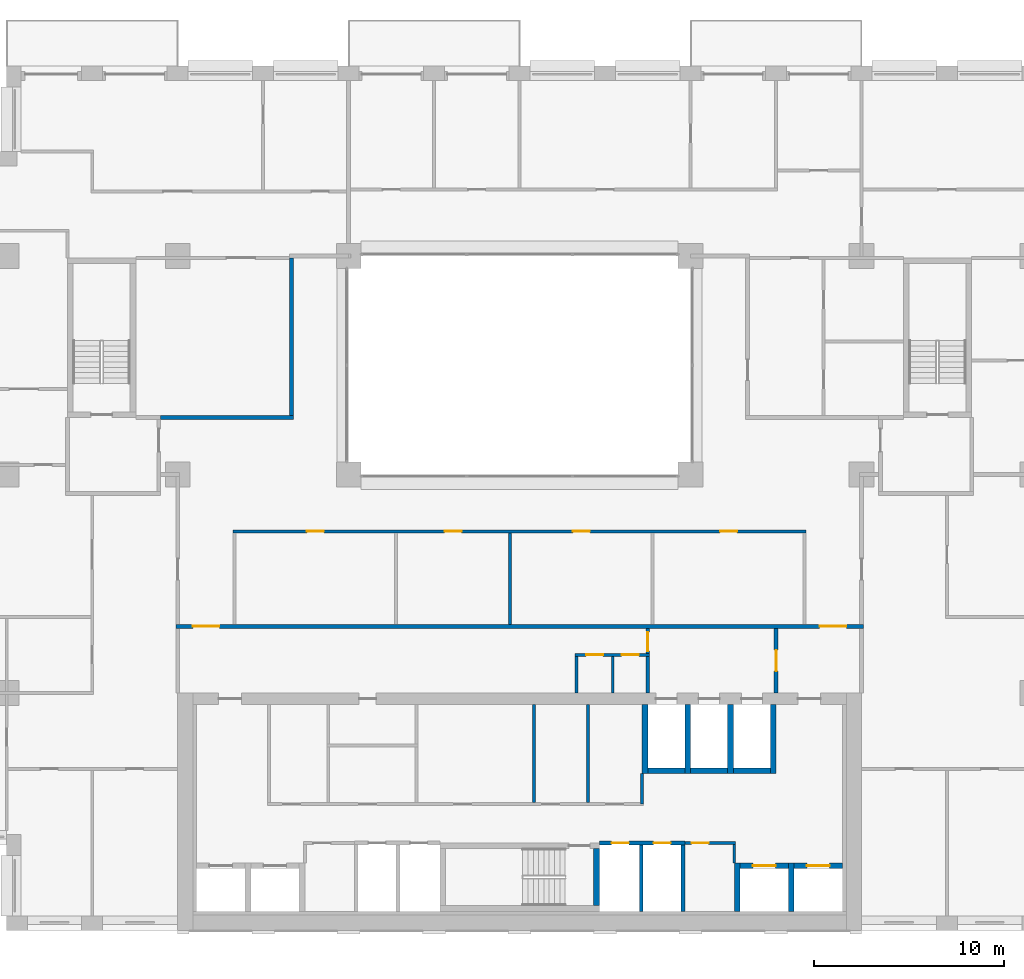
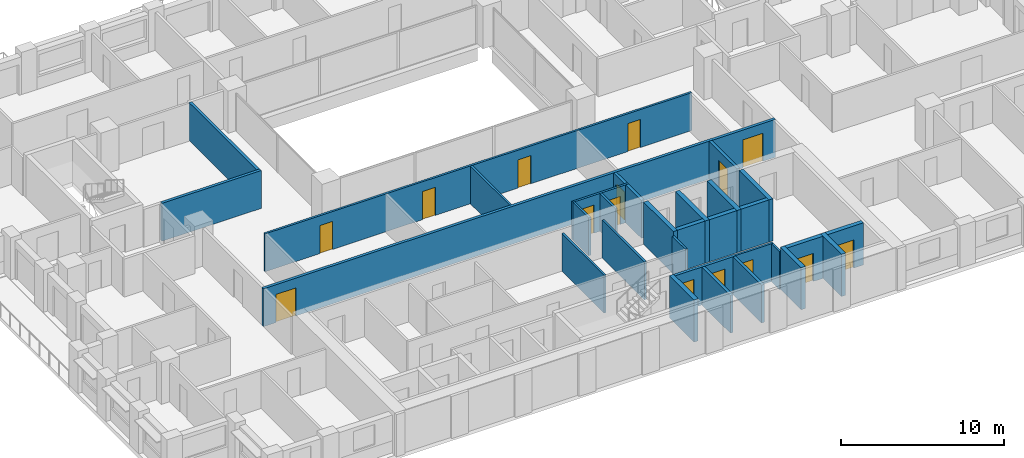
# One storey, part 10 of 16: 31 walls, 15 doors, 15 openings.
"""IFC4 building model written with IfcOpenShell, lengths in metres."""

from ifc_helpers import new_model, si_unit, direction, frame, frame_2d, origin, place, context, subcontext, project, spatial, rectangle, extrude, material, layer, layer_set, type_object, element, fill, save


model = new_model("IFC4")

# Units and contexts
model_context = context("Model", 3, precision=1e-05, world=origin(), true_north=direction((0.0, 1.0)))
body_context = subcontext(model_context, "Body", "Model", "MODEL_VIEW")
ifc_project = project(units=[si_unit("LENGTHUNIT", "METRE"), si_unit("AREAUNIT", "SQUARE_METRE"), si_unit("VOLUMEUNIT", "CUBIC_METRE"), si_unit("PLANEANGLEUNIT", "RADIAN"), si_unit("MASSUNIT", "GRAM", prefix="KILO")], contexts=[model_context])

# Site, building, storey
site_placement = place(None, origin())
site = spatial("IfcSite", under=ifc_project, at=site_placement, CompositionType="ELEMENT")
building_placement = place(site_placement, origin())
building = spatial("IfcBuilding", under=site, at=building_placement, Name="Brigalow Station Residences", CompositionType="ELEMENT")
storey_placement = place(building_placement, frame((0.0, 0.0, 115.050048828125)))
storey = spatial("IfcBuildingStorey", under=building, at=storey_placement, Name="L33", CompositionType="ELEMENT", Elevation=115.050048828125)

# Walls
ifc_material_1 = material(Name="Concrete C65", Category="concrete")
ifc_layer_1 = layer(ifc_material_1, 0.300048828125)
ifc_layer_set_1 = layer_set([ifc_layer_1], Name="CORE SHEAR WALL 300 C65")
wall_type_1 = type_object("IfcWallType", Name="CORE SHEAR WALL 300 C65", PredefinedType="SHEAR", material=ifc_layer_set_1)
wall_1_placement = place(storey_placement, frame((42.75, 8.39990234375, 0.0), z_axis=(0.0, 0.0, 1.0), x_axis=(1.0, 0.0, 0.0)))
element("IfcWall", 1, at=wall_1_placement, inside=storey, type_object=wall_type_1, Name="CORE WALL SH-FF1-S L33", PredefinedType="SHEAR", context=body_context, shape_type="SweptSolid", body=[
    extrude(rectangle(XDim=1.949951171875, YDim=0.300048828125, at=frame_2d((0.97509765625, 0.0))), origin(), (0.0, 0.0, 1.0), 3.14990234375),
])
wall_2_placement = place(storey_placement, frame((42.60009765625, 8.25, 0.0), z_axis=(0.0, 0.0, 1.0), x_axis=(0.0, 1.0, 0.0)))
element("IfcWall", 2, at=wall_2_placement, inside=storey, type_object=wall_type_1, Name="CORE WALL SH-FF1-W L33", PredefinedType="SHEAR", context=body_context, shape_type="SweptSolid", body=[
    extrude(rectangle(XDim=3.64990234375, YDim=0.300048828125, at=frame_2d((1.824951171875, 0.0))), origin(), (0.0, 0.0, 1.0), 3.14990234375),
])
wall_3_placement = place(storey_placement, frame((45.0, 8.39990234375, 0.0), z_axis=(0.0, 0.0, 1.0), x_axis=(1.0, 0.0, 0.0)))
element("IfcWall", 3, at=wall_3_placement, inside=storey, type_object=wall_type_1, Name="CORE WALL SH-FF2-S L33", PredefinedType="SHEAR", context=body_context, shape_type="SweptSolid", body=[
    extrude(rectangle(XDim=1.949951171875, YDim=0.300048828125, at=frame_2d((0.97509765625, 0.0))), origin(), (0.0, 0.0, 1.0), 3.14990234375),
])
wall_4_placement = place(storey_placement, frame((44.85009765625, 8.25, 0.0), z_axis=(0.0, 0.0, 1.0), x_axis=(0.0, 1.0, 0.0)))
element("IfcWall", 4, at=wall_4_placement, inside=storey, type_object=wall_type_1, Name="CORE WALL SH-FF2-W L33", PredefinedType="SHEAR", context=body_context, shape_type="SweptSolid", body=[
    extrude(rectangle(XDim=3.64990234375, YDim=0.300048828125, at=frame_2d((1.824951171875, 0.0))), origin(), (0.0, 0.0, 1.0), 3.14990234375),
])
wall_5_placement = place(storey_placement, frame((47.25, 8.39990234375, 0.0), z_axis=(0.0, 0.0, 1.0), x_axis=(1.0, 0.0, 0.0)))
element("IfcWall", 5, at=wall_5_placement, inside=storey, type_object=wall_type_1, Name="CORE WALL SH-SL1-S L33", PredefinedType="SHEAR", context=body_context, shape_type="SweptSolid", body=[
    extrude(rectangle(XDim=1.949951171875, YDim=0.300048828125, at=frame_2d((0.97509765625, 0.0))), origin(), (0.0, 0.0, 1.0), 3.14990234375),
])
for number, where, z_axis, x_axis, name in (
    (6, (47.10009765625, 8.25, 0.0), (0.0, 0.0, 1.0), (0.0, 1.0, 0.0), "CORE WALL SH-SL1-W L33"),
    (7, (49.35009765625, 8.25, 0.0), (0.0, 0.0, 1.0), (0.0, 1.0, 0.0), "CORE WALL SH-SL1-E L33"),
):
    element("IfcWall", number, at=place(storey_placement, frame(where, z_axis=z_axis, x_axis=x_axis)), inside=storey, type_object=wall_type_1, Name=name, PredefinedType="SHEAR", context=body_context, shape_type="SweptSolid", body=[
        extrude(rectangle(XDim=3.64990234375, YDim=0.300048828125, at=frame_2d((1.824951171875, 0.0))), origin(), (0.0, 0.0, 1.0), 3.14990234375),
    ])

# Wall, opening, door
wall_6_placement = place(storey_placement, frame((47.60009765625, 3.39990234375, 0.0), z_axis=(0.0, 0.0, 1.0), x_axis=(1.0, 0.0, 0.0)))
wall_6 = element("IfcWall", 8, at=wall_6_placement, inside=storey, type_object=wall_type_1, Name="CORE WALL SH-C3-N L33", PredefinedType="SHEAR", context=body_context, shape_type="SweptSolid", body=[
    extrude(rectangle(XDim=2.5498046875, YDim=0.300048828125, at=frame_2d((1.27490234375, 0.0))), origin(), (0.0, 0.0, 1.0), 3.14990234375),
])
opening_1_placement = place(wall_6_placement, frame((0.675048828125, 0.0, 0.0)))
opening_1 = element("IfcOpeningElement", 9, at=opening_1_placement, cuts=wall_6, Name="Opening LD-LB3", PredefinedType="OPENING", context=body_context, shape_type="SweptSolid", body=[
    extrude(rectangle(XDim=1.199951171875, YDim=2.10009765625, at=frame_2d((0.60009765625, 1.050048828125))), frame((0.0, 0.16015625, 0.0), z_axis=(0.0, -1.0, 0.0), x_axis=(1.0, 0.0, 0.0)), (0.0, 0.0, 1.0), 0.320068359375),
])
ifc_material_2 = material(Name="Stainless steel sliding door leaves", Category="steel")
door_type_1 = type_object("IfcDoorType", Name="LIFT LANDING DOOR 1200 x 2100", OperationType="DOUBLE_DOOR_SLIDING", PredefinedType="DOOR", material=ifc_material_2)
door_1_placement = place(opening_1_placement, origin())
door_1 = element("IfcDoor", 10, at=door_1_placement, inside=storey, type_object=door_type_1, Name="LANDING DOOR LB3", OperationType="DOUBLE_DOOR_SLIDING", OverallHeight=2.10009765625, OverallWidth=1.199951171875, PredefinedType="DOOR", context=body_context, shape_type="SweptSolid", body=[
    extrude(rectangle(XDim=1.199951171875, YDim=2.10009765625, at=frame_2d((0.60009765625, 1.050048828125))), frame((0.0, 0.02490234375, 0.0), z_axis=(0.0, -1.0, 0.0), x_axis=(1.0, 0.0, 0.0)), (0.0, 0.0, 1.0), 0.050048828125),
])
fill(opening_1, door_1)

# Wall
wall_7_placement = place(storey_placement, frame((47.449951171875, 1.0, 0.0), z_axis=(0.0, 0.0, 1.0), x_axis=(0.0, 1.0, 0.0)))
element("IfcWall", 11, at=wall_7_placement, inside=storey, type_object=wall_type_1, Name="CORE WALL SH-C3-W L33", PredefinedType="SHEAR", context=body_context, shape_type="SweptSolid", body=[
    extrude(rectangle(XDim=2.550048828125, YDim=0.300048828125, at=frame_2d((1.27490234375, 0.0))), origin(), (0.0, 0.0, 1.0), 3.14990234375),
])

# Wall, opening, door
wall_8_placement = place(storey_placement, frame((50.449951171875, 3.39990234375, 0.0), z_axis=(0.0, 0.0, 1.0), x_axis=(1.0, 0.0, 0.0)))
wall_8 = element("IfcWall", 12, at=wall_8_placement, inside=storey, type_object=wall_type_1, Name="CORE WALL SH-C4-N L33", PredefinedType="SHEAR", context=body_context, shape_type="SweptSolid", body=[
    extrude(rectangle(XDim=2.550048828125, YDim=0.300048828125, at=frame_2d((1.27490234375, 0.0))), origin(), (0.0, 0.0, 1.0), 3.14990234375),
])
opening_2_placement = place(wall_8_placement, frame((0.675048828125, 0.0, 0.0)))
opening_2 = element("IfcOpeningElement", 13, at=opening_2_placement, cuts=wall_8, Name="Opening LD-LB4", PredefinedType="OPENING", context=body_context, shape_type="SweptSolid", body=[
    extrude(rectangle(XDim=1.199951171875, YDim=2.10009765625, at=frame_2d((0.60009765625, 1.050048828125))), frame((0.0, 0.16015625, 0.0), z_axis=(0.0, -1.0, 0.0), x_axis=(1.0, 0.0, 0.0)), (0.0, 0.0, 1.0), 0.320068359375),
])
door_2_placement = place(opening_2_placement, origin())
door_2 = element("IfcDoor", 14, at=door_2_placement, inside=storey, type_object=door_type_1, Name="LANDING DOOR LB4", OperationType="DOUBLE_DOOR_SLIDING", OverallHeight=2.10009765625, OverallWidth=1.199951171875, PredefinedType="DOOR", context=body_context, shape_type="SweptSolid", body=[
    extrude(rectangle(XDim=1.199951171875, YDim=2.10009765625, at=frame_2d((0.60009765625, 1.050048828125))), frame((0.0, 0.02490234375, 0.0), z_axis=(0.0, -1.0, 0.0), x_axis=(1.0, 0.0, 0.0)), (0.0, 0.0, 1.0), 0.050048828125),
])
fill(opening_2, door_2)

# Walls
wall_9_placement = place(storey_placement, frame((50.300048828125, 1.0, 0.0), z_axis=(0.0, 0.0, 1.0), x_axis=(0.0, 1.0, 0.0)))
element("IfcWall", 15, at=wall_9_placement, inside=storey, type_object=wall_type_1, Name="CORE WALL SH-C4-W L33", PredefinedType="SHEAR", context=body_context, shape_type="SweptSolid", body=[
    extrude(rectangle(XDim=2.550048828125, YDim=0.300048828125, at=frame_2d((1.27490234375, 0.0))), origin(), (0.0, 0.0, 1.0), 3.14990234375),
])
wall_10_placement = place(storey_placement, frame((40.050048828125, 1.300048828125, 0.0), z_axis=(0.0, 0.0, 1.0), x_axis=(0.0, 1.0, 0.0)))
element("IfcWall", 16, at=wall_10_placement, inside=storey, type_object=wall_type_1, Name="CORE WALL ST-S2-E L33", PredefinedType="SHEAR", context=body_context, shape_type="SweptSolid", body=[
    extrude(rectangle(XDim=3.0, YDim=0.300048828125, at=frame_2d((1.5, 0.0))), origin(), (0.0, 0.0, 1.0), 3.14990234375),
])

# Wall, openings, doors
ifc_material_3 = material(Name="Concrete blockwork", Category="masonry")
ifc_layer_2 = layer(ifc_material_3, 0.199951171875)
ifc_layer_set_2 = layer_set([ifc_layer_2], Name="FIRE RATED CORE PARTITION 200")
wall_type_2 = type_object("IfcWallType", Name="FIRE RATED CORE PARTITION 200", PredefinedType="PARTITIONING", material=ifc_layer_set_2)
wall_11_placement = place(storey_placement, frame((40.199951171875, 4.60009765625, 0.0), z_axis=(0.0, 0.0, 1.0), x_axis=(1.0, 0.0, 0.0)))
wall_11 = element("IfcWall", 17, at=wall_11_placement, inside=storey, type_object=wall_type_2, Name="PW-5018", PredefinedType="PARTITIONING", context=body_context, shape_type="SweptSolid", body=[
    extrude(rectangle(XDim=4.5, YDim=0.199951171875, at=frame_2d((2.25, 0.0))), origin(), (0.0, 0.0, 1.0), 2.829833984375),
])
opening_3_placement = place(wall_11_placement, frame((0.64990234375, 0.0, 0.0)))
opening_3 = element("IfcOpeningElement", 18, at=opening_3_placement, cuts=wall_11, Name="Opening D-5009", PredefinedType="OPENING", context=body_context, shape_type="SweptSolid", body=[
    extrude(rectangle(XDim=0.89990234375, YDim=2.10009765625, at=frame_2d((0.449951171875, 1.050048828125))), frame((0.0, 0.10986328125, 0.0), z_axis=(0.0, -1.0, 0.0), x_axis=(1.0, 0.0, 0.0)), (0.0, 0.0, 1.0), 0.219970703125),
])
opening_4_placement = place(wall_11_placement, frame((2.85009765625, 0.0, 0.0)))
opening_4 = element("IfcOpeningElement", 19, at=opening_4_placement, cuts=wall_11, Name="Opening D-5010", PredefinedType="OPENING", context=body_context, shape_type="SweptSolid", body=[
    extrude(rectangle(XDim=0.89990234375, YDim=2.10009765625, at=frame_2d((0.449951171875, 1.050048828125))), frame((0.0, 0.10986328125, 0.0), z_axis=(0.0, -1.0, 0.0), x_axis=(1.0, 0.0, 0.0)), (0.0, 0.0, 1.0), 0.219970703125),
])
ifc_material_4 = material(Name="Steel fire door leaf in steel frame", Category="steel")
door_type_2 = type_object("IfcDoorType", Name="RISER ACCESS DOOR 900 x 2100 FD120", OperationType="SINGLE_SWING_LEFT", PredefinedType="DOOR", material=ifc_material_4)
door_3_placement = place(opening_3_placement, frame((0.89990234375, 0.0, 0.0), z_axis=(0.0, 0.0, 1.0), x_axis=(-1.0, 0.0, 0.0)))
door_3 = element("IfcDoor", 20, at=door_3_placement, inside=storey, type_object=door_type_2, Name="D-5009", OperationType="SINGLE_SWING_LEFT", OverallHeight=2.10009765625, OverallWidth=0.89990234375, PredefinedType="DOOR", context=body_context, shape_type="SweptSolid", body=[
    extrude(rectangle(XDim=0.89990234375, YDim=2.10009765625, at=frame_2d((0.449951171875, 1.050048828125))), frame((0.0, 0.02490234375, 0.0), z_axis=(0.0, -1.0, 0.0), x_axis=(1.0, 0.0, 0.0)), (0.0, 0.0, 1.0), 0.050048828125),
])
fill(opening_3, door_3)
door_4_placement = place(opening_4_placement, frame((0.89990234375, 0.0, 0.0), z_axis=(0.0, 0.0, 1.0), x_axis=(-1.0, 0.0, 0.0)))
door_4 = element("IfcDoor", 21, at=door_4_placement, inside=storey, type_object=door_type_2, Name="D-5010", OperationType="SINGLE_SWING_LEFT", OverallHeight=2.10009765625, OverallWidth=0.89990234375, PredefinedType="DOOR", context=body_context, shape_type="SweptSolid", body=[
    extrude(rectangle(XDim=0.89990234375, YDim=2.10009765625, at=frame_2d((0.449951171875, 1.050048828125))), frame((0.0, 0.02490234375, 0.0), z_axis=(0.0, -1.0, 0.0), x_axis=(1.0, 0.0, 0.0)), (0.0, 0.0, 1.0), 0.050048828125),
])
fill(opening_4, door_4)

# Walls
for number, where, z_axis, x_axis, name in (
    (22, (42.39990234375, 1.0, 0.0), (0.0, 0.0, 1.0), (0.0, 1.0, 0.0), "PW-5007"),
    (23, (44.60009765625, 1.0, 0.0), (0.0, 0.0, 1.0), (0.0, 1.0, 0.0), "PW-5008"),
):
    element("IfcWall", number, at=place(storey_placement, frame(where, z_axis=z_axis, x_axis=x_axis)), inside=storey, type_object=wall_type_2, Name=name, PredefinedType="PARTITIONING", context=body_context, shape_type="SweptSolid", body=[
        extrude(rectangle(XDim=3.5, YDim=0.199951171875, at=frame_2d((1.75, 0.0))), origin(), (0.0, 0.0, 1.0), 2.829833984375),
    ])
wall_12_placement = place(storey_placement, frame((42.75, 12.5, 0.0), z_axis=(0.0, 0.0, 1.0), x_axis=(0.0, 1.0, 0.0)))
element("IfcWall", 24, at=wall_12_placement, inside=storey, type_object=wall_type_2, Name="PW-5046", PredefinedType="PARTITIONING", context=body_context, shape_type="SweptSolid", body=[
    extrude(rectangle(XDim=1.925048828125, YDim=0.199951171875, at=frame_2d((0.96240234375, 0.0))), origin(), (0.0, 0.0, 1.0), 2.829833984375),
])

# Wall, opening, door
wall_13_placement = place(storey_placement, frame((49.5, 12.5, 0.0), z_axis=(0.0, 0.0, 1.0), x_axis=(0.0, 1.0, 0.0)))
wall_13 = element("IfcWall", 25, at=wall_13_placement, inside=storey, type_object=wall_type_2, Name="PW-5015", PredefinedType="PARTITIONING", context=body_context, shape_type="SweptSolid", body=[
    extrude(rectangle(XDim=3.39990234375, YDim=0.199951171875, at=frame_2d((1.699951171875, 0.0))), origin(), (0.0, 0.0, 1.0), 2.829833984375),
])
opening_5_placement = place(wall_13_placement, frame((1.14990234375, 0.0, 0.0)))
opening_5 = element("IfcOpeningElement", 26, at=opening_5_placement, cuts=wall_13, Name="Opening D-5014", PredefinedType="OPENING", context=body_context, shape_type="SweptSolid", body=[
    extrude(rectangle(XDim=1.10009765625, YDim=2.10009765625, at=frame_2d((0.550048828125, 1.050048828125))), frame((0.0, 0.10986328125, 0.0), z_axis=(0.0, -1.0, 0.0), x_axis=(1.0, 0.0, 0.0)), (0.0, 0.0, 1.0), 0.219970703125),
])
ifc_material_5 = material(Name="Steel fire door leaf in steel frame", Category="steel")
door_type_3 = type_object("IfcDoorType", Name="LOBBY DOOR 1100 x 2100 FD60S", OperationType="SINGLE_SWING_LEFT", PredefinedType="DOOR", material=ifc_material_5)
door_5_placement = place(opening_5_placement, origin())
door_5 = element("IfcDoor", 27, at=door_5_placement, inside=storey, type_object=door_type_3, Name="D-5014", OperationType="SINGLE_SWING_LEFT", OverallHeight=2.10009765625, OverallWidth=1.10009765625, PredefinedType="DOOR", context=body_context, shape_type="SweptSolid", body=[
    extrude(rectangle(XDim=1.10009765625, YDim=2.10009765625, at=frame_2d((0.550048828125, 1.050048828125))), frame((0.0, 0.02490234375, 0.0), z_axis=(0.0, -1.0, 0.0), x_axis=(1.0, 0.0, 0.0)), (0.0, 0.0, 1.0), 0.050048828125),
])
fill(opening_5, door_5)

wall_14_placement = place(storey_placement, frame((42.75, 14.574951171875, 0.0), z_axis=(0.0, 0.0, 1.0), x_axis=(0.0, 1.0, 0.0)))
wall_14 = element("IfcWall", 28, at=wall_14_placement, inside=storey, type_object=wall_type_2, Name="PW-5047", PredefinedType="PARTITIONING", context=body_context, shape_type="SweptSolid", body=[
    extrude(rectangle(XDim=1.324951171875, YDim=0.199951171875, at=frame_2d((0.66259765625, 0.0))), origin(), (0.0, 0.0, 1.0), 2.829833984375),
])
opening_6_placement = place(wall_14_placement, frame((0.125, 0.0, 0.0)))
opening_6 = element("IfcOpeningElement", 29, at=opening_6_placement, cuts=wall_14, Name="Opening D-5013", PredefinedType="OPENING", context=body_context, shape_type="SweptSolid", body=[
    extrude(rectangle(XDim=1.0, YDim=2.10009765625, at=frame_2d((0.5, 1.050048828125))), frame((0.0, 0.10986328125, 0.0), z_axis=(0.0, -1.0, 0.0), x_axis=(1.0, 0.0, 0.0)), (0.0, 0.0, 1.0), 0.219970703125),
])
ifc_material_6 = material(Name="Steel fire door leaf in steel frame", Category="steel")
door_type_4 = type_object("IfcDoorType", Name="LOBBY DOOR 1000 x 2100 FD60S", OperationType="SINGLE_SWING_LEFT", PredefinedType="DOOR", material=ifc_material_6)
door_6_placement = place(opening_6_placement, origin())
door_6 = element("IfcDoor", 30, at=door_6_placement, inside=storey, type_object=door_type_4, Name="D-5013", OperationType="SINGLE_SWING_LEFT", OverallHeight=2.10009765625, OverallWidth=1.0, PredefinedType="DOOR", context=body_context, shape_type="SweptSolid", body=[
    extrude(rectangle(XDim=1.0, YDim=2.10009765625, at=frame_2d((0.5, 1.050048828125))), frame((0.0, 0.02490234375, 0.0), z_axis=(0.0, -1.0, 0.0), x_axis=(1.0, 0.0, 0.0)), (0.0, 0.0, 1.0), 0.050048828125),
])
fill(opening_6, door_6)

# Wall, openings, doors
ifc_material_7 = material(Name="Plasterboard on steel stud partition", Category="steel")
ifc_layer_3 = layer(ifc_material_7, 0.14990234375)
ifc_layer_set_3 = layer_set([ifc_layer_3], Name="FLAT PARTITION 150")
wall_type_3 = type_object("IfcWallType", Name="FLAT PARTITION 150", PredefinedType="PARTITIONING", material=ifc_layer_set_3)
wall_15_placement = place(storey_placement, frame((20.925048828125, 21.0, 0.0), z_axis=(0.0, 0.0, 1.0), x_axis=(1.0, 0.0, 0.0)))
wall_15 = element("IfcWall", 31, at=wall_15_placement, inside=storey, type_object=wall_type_3, Name="PW-2D01", PredefinedType="PARTITIONING", context=body_context, shape_type="SweptSolid", body=[
    extrude(rectangle(XDim=30.14990234375, YDim=0.14990234375, at=frame_2d((15.074951171875, 0.0))), origin(), (0.0, 0.0, 1.0), 2.829833984375),
])
opening_7_placement = place(wall_15_placement, frame((3.875, 0.0, 0.0)))
opening_7 = element("IfcOpeningElement", 32, at=opening_7_placement, cuts=wall_15, Name="Opening D-2D48", PredefinedType="OPENING", context=body_context, shape_type="SweptSolid", body=[
    extrude(rectangle(XDim=0.89990234375, YDim=2.10009765625, at=frame_2d((0.449951171875, 1.050048828125))), frame((0.0, 0.0849609375, 0.0), z_axis=(0.0, -1.0, 0.0), x_axis=(1.0, 0.0, 0.0)), (0.0, 0.0, 1.0), 0.169921875),
])
opening_8_placement = place(wall_15_placement, frame((11.125, 0.0, 0.0)))
opening_8 = element("IfcOpeningElement", 33, at=opening_8_placement, cuts=wall_15, Name="Opening D-2D49", PredefinedType="OPENING", context=body_context, shape_type="SweptSolid", body=[
    extrude(rectangle(XDim=0.89990234375, YDim=2.10009765625, at=frame_2d((0.449951171875, 1.050048828125))), frame((0.0, 0.0849609375, 0.0), z_axis=(0.0, -1.0, 0.0), x_axis=(1.0, 0.0, 0.0)), (0.0, 0.0, 1.0), 0.169921875),
])
opening_9_placement = place(wall_15_placement, frame((17.875, 0.0, 0.0)))
opening_9 = element("IfcOpeningElement", 34, at=opening_9_placement, cuts=wall_15, Name="Opening D-2D50", PredefinedType="OPENING", context=body_context, shape_type="SweptSolid", body=[
    extrude(rectangle(XDim=0.89990234375, YDim=2.10009765625, at=frame_2d((0.449951171875, 1.050048828125))), frame((0.0, 0.0849609375, 0.0), z_axis=(0.0, -1.0, 0.0), x_axis=(1.0, 0.0, 0.0)), (0.0, 0.0, 1.0), 0.169921875),
])
opening_10_placement = place(wall_15_placement, frame((25.625, 0.0, 0.0)))
opening_10 = element("IfcOpeningElement", 35, at=opening_10_placement, cuts=wall_15, Name="Opening D-2D51", PredefinedType="OPENING", context=body_context, shape_type="SweptSolid", body=[
    extrude(rectangle(XDim=0.89990234375, YDim=2.10009765625, at=frame_2d((0.449951171875, 1.050048828125))), frame((0.0, 0.0849609375, 0.0), z_axis=(0.0, -1.0, 0.0), x_axis=(1.0, 0.0, 0.0)), (0.0, 0.0, 1.0), 0.169921875),
])
ifc_material_8 = material(Name="Solid-core timber door leaf", Category="wood")
door_type_5 = type_object("IfcDoorType", Name="INTERNAL DOOR 900 x 2100", OperationType="SINGLE_SWING_LEFT", PredefinedType="DOOR", material=ifc_material_8)
door_7_placement = place(opening_7_placement, frame((0.89990234375, 0.0, 0.0), z_axis=(0.0, 0.0, 1.0), x_axis=(-1.0, 0.0, 0.0)))
door_7 = element("IfcDoor", 36, at=door_7_placement, inside=storey, type_object=door_type_5, Name="D-2D48", OperationType="SINGLE_SWING_LEFT", OverallHeight=2.10009765625, OverallWidth=0.89990234375, PredefinedType="DOOR", context=body_context, shape_type="SweptSolid", body=[
    extrude(rectangle(XDim=0.89990234375, YDim=2.10009765625, at=frame_2d((0.449951171875, 1.050048828125))), frame((0.0, 0.02490234375, 0.0), z_axis=(0.0, -1.0, 0.0), x_axis=(1.0, 0.0, 0.0)), (0.0, 0.0, 1.0), 0.050048828125),
])
fill(opening_7, door_7)
door_8_placement = place(opening_8_placement, frame((0.89990234375, 0.0, 0.0), z_axis=(0.0, 0.0, 1.0), x_axis=(-1.0, 0.0, 0.0)))
door_8 = element("IfcDoor", 37, at=door_8_placement, inside=storey, type_object=door_type_5, Name="D-2D49", OperationType="SINGLE_SWING_LEFT", OverallHeight=2.10009765625, OverallWidth=0.89990234375, PredefinedType="DOOR", context=body_context, shape_type="SweptSolid", body=[
    extrude(rectangle(XDim=0.89990234375, YDim=2.10009765625, at=frame_2d((0.449951171875, 1.050048828125))), frame((0.0, 0.02490234375, 0.0), z_axis=(0.0, -1.0, 0.0), x_axis=(1.0, 0.0, 0.0)), (0.0, 0.0, 1.0), 0.050048828125),
])
fill(opening_8, door_8)
door_9_placement = place(opening_9_placement, frame((0.89990234375, 0.0, 0.0), z_axis=(0.0, 0.0, 1.0), x_axis=(-1.0, 0.0, 0.0)))
door_9 = element("IfcDoor", 38, at=door_9_placement, inside=storey, type_object=door_type_5, Name="D-2D50", OperationType="SINGLE_SWING_RIGHT", OverallHeight=2.10009765625, OverallWidth=0.89990234375, PredefinedType="DOOR", context=body_context, shape_type="SweptSolid", body=[
    extrude(rectangle(XDim=0.89990234375, YDim=2.10009765625, at=frame_2d((0.449951171875, 1.050048828125))), frame((0.0, 0.02490234375, 0.0), z_axis=(0.0, -1.0, 0.0), x_axis=(1.0, 0.0, 0.0)), (0.0, 0.0, 1.0), 0.050048828125),
])
fill(opening_9, door_9)
door_10_placement = place(opening_10_placement, frame((0.89990234375, 0.0, 0.0), z_axis=(0.0, 0.0, 1.0), x_axis=(-1.0, 0.0, 0.0)))
door_10 = element("IfcDoor", 39, at=door_10_placement, inside=storey, type_object=door_type_5, Name="D-2D51", OperationType="SINGLE_SWING_LEFT", OverallHeight=2.10009765625, OverallWidth=0.89990234375, PredefinedType="DOOR", context=body_context, shape_type="SweptSolid", body=[
    extrude(rectangle(XDim=0.89990234375, YDim=2.10009765625, at=frame_2d((0.449951171875, 1.050048828125))), frame((0.0, 0.02490234375, 0.0), z_axis=(0.0, -1.0, 0.0), x_axis=(1.0, 0.0, 0.0)), (0.0, 0.0, 1.0), 0.050048828125),
])
fill(opening_10, door_10)

# Walls
wall_16_placement = place(storey_placement, frame((35.5, 16.10009765625, 0.0), z_axis=(0.0, 0.0, 1.0), x_axis=(0.0, 1.0, 0.0)))
element("IfcWall", 40, at=wall_16_placement, inside=storey, type_object=wall_type_3, Name="PW-2D69", PredefinedType="PARTITIONING", context=body_context, shape_type="SweptSolid", body=[
    extrude(rectangle(XDim=4.824951171875, YDim=0.14990234375, at=frame_2d((2.41259765625, 0.0))), origin(), (0.0, 0.0, 1.0), 2.829833984375),
])
ifc_material_9 = material(Name="Plasterboard on steel stud partition", Category="steel")
ifc_layer_4 = layer(ifc_material_9, 0.199951171875)
ifc_layer_set_4 = layer_set([ifc_layer_4], Name="PARTY AND CORRIDOR WALL 200")
wall_type_4 = type_object("IfcWallType", Name="PARTY AND CORRIDOR WALL 200", PredefinedType="PARTITIONING", material=ifc_layer_set_4)
wall_17_placement = place(storey_placement, frame((17.10009765625, 27.0, 0.0), z_axis=(0.0, 0.0, 1.0), x_axis=(1.0, 0.0, 0.0)))
element("IfcWall", 41, at=wall_17_placement, inside=storey, type_object=wall_type_4, Name="PW-2D05", PredefinedType="PARTITIONING", context=body_context, shape_type="SweptSolid", body=[
    extrude(rectangle(XDim=7.0, YDim=0.199951171875, at=frame_2d((3.5, 0.0))), origin(), (0.0, 0.0, 1.0), 2.829833984375),
])

# Wall, openings, doors
wall_18_placement = place(storey_placement, frame((17.89990234375, 16.0, 0.0), z_axis=(0.0, 0.0, 1.0), x_axis=(1.0, 0.0, 0.0)))
wall_18 = element("IfcWall", 42, at=wall_18_placement, inside=storey, type_object=wall_type_4, Name="PW-2D37", PredefinedType="PARTITIONING", context=body_context, shape_type="SweptSolid", body=[
    extrude(rectangle(XDim=36.2001953125, YDim=0.199951171875, at=frame_2d((18.10009765625, 0.0))), origin(), (0.0, 0.0, 1.0), 2.829833984375),
])
opening_11_placement = place(wall_18_placement, frame((0.89990234375, 0.0, 0.0)))
opening_11 = element("IfcOpeningElement", 43, at=opening_11_placement, cuts=wall_18, Name="Opening D-2D01", PredefinedType="OPENING", context=body_context, shape_type="SweptSolid", body=[
    extrude(rectangle(XDim=1.39990234375, YDim=2.10009765625, at=frame_2d((0.699951171875, 1.050048828125))), frame((0.0, 0.10986328125, 0.0), z_axis=(0.0, -1.0, 0.0), x_axis=(1.0, 0.0, 0.0)), (0.0, 0.0, 1.0), 0.219970703125),
])
opening_12_placement = place(wall_18_placement, frame((33.89990234375, 0.0, 0.0)))
opening_12 = element("IfcOpeningElement", 44, at=opening_12_placement, cuts=wall_18, Name="Opening D-2D02", PredefinedType="OPENING", context=body_context, shape_type="SweptSolid", body=[
    extrude(rectangle(XDim=1.39990234375, YDim=2.10009765625, at=frame_2d((0.699951171875, 1.050048828125))), frame((0.0, 0.10986328125, 0.0), z_axis=(0.0, -1.0, 0.0), x_axis=(1.0, 0.0, 0.0)), (0.0, 0.0, 1.0), 0.219970703125),
])
ifc_material_10 = material(Name="Solid-core timber door leaf", Category="wood")
door_type_6 = type_object("IfcDoorType", Name="CORRIDOR FIRE DOOR 1400 x 2100 FRL -/60/30", OperationType="DOUBLE_DOOR_SINGLE_SWING", PredefinedType="DOOR", material=ifc_material_10)
door_11_placement = place(opening_11_placement, frame((1.39990234375, 0.0, 0.0), z_axis=(0.0, 0.0, 1.0), x_axis=(-1.0, 0.0, 0.0)))
door_11 = element("IfcDoor", 45, at=door_11_placement, inside=storey, type_object=door_type_6, Name="D-2D01", OperationType="DOUBLE_DOOR_SINGLE_SWING", OverallHeight=2.10009765625, OverallWidth=1.39990234375, PredefinedType="DOOR", context=body_context, shape_type="SweptSolid", body=[
    extrude(rectangle(XDim=1.39990234375, YDim=2.10009765625, at=frame_2d((0.699951171875, 1.050048828125))), frame((0.0, 0.02490234375, 0.0), z_axis=(0.0, -1.0, 0.0), x_axis=(1.0, 0.0, 0.0)), (0.0, 0.0, 1.0), 0.050048828125),
])
fill(opening_11, door_11)
door_12_placement = place(opening_12_placement, frame((1.39990234375, 0.0, 0.0), z_axis=(0.0, 0.0, 1.0), x_axis=(-1.0, 0.0, 0.0)))
door_12 = element("IfcDoor", 46, at=door_12_placement, inside=storey, type_object=door_type_6, Name="D-2D02", OperationType="DOUBLE_DOOR_SINGLE_SWING", OverallHeight=2.10009765625, OverallWidth=1.39990234375, PredefinedType="DOOR", context=body_context, shape_type="SweptSolid", body=[
    extrude(rectangle(XDim=1.39990234375, YDim=2.10009765625, at=frame_2d((0.699951171875, 1.050048828125))), frame((0.0, 0.02490234375, 0.0), z_axis=(0.0, -1.0, 0.0), x_axis=(1.0, 0.0, 0.0)), (0.0, 0.0, 1.0), 0.050048828125),
])
fill(opening_12, door_12)

# Wall
wall_19_placement = place(storey_placement, frame((24.0, 27.10009765625, 0.0), z_axis=(0.0, 0.0, 1.0), x_axis=(0.0, 1.0, 0.0)))
element("IfcWall", 47, at=wall_19_placement, inside=storey, type_object=wall_type_4, Name="PW-2D43", PredefinedType="PARTITIONING", context=body_context, shape_type="SweptSolid", body=[
    extrude(rectangle(XDim=8.2998046875, YDim=0.199951171875, at=frame_2d((4.14990234375, 0.0))), origin(), (0.0, 0.0, 1.0), 2.829833984375),
])

# Wall, opening, door
ifc_material_11 = material(Name="Plasterboard on steel studs", Category="steel")
ifc_layer_5 = layer(ifc_material_11, 0.14990234375)
ifc_layer_set_5 = layer_set([ifc_layer_5], Name="SERVICE ROOM PARTITION 150")
wall_type_5 = type_object("IfcWallType", Name="SERVICE ROOM PARTITION 150", PredefinedType="PARTITIONING", material=ifc_layer_set_5)
wall_20_placement = place(storey_placement, frame((44.699951171875, 4.60009765625, 0.0), z_axis=(0.0, 0.0, 1.0), x_axis=(1.0, 0.0, 0.0)))
wall_20 = element("IfcWall", 48, at=wall_20_placement, inside=storey, type_object=wall_type_5, Name="PW-5156", PredefinedType="PARTITIONING", context=body_context, shape_type="SweptSolid", body=[
    extrude(rectangle(XDim=2.675048828125, YDim=0.14990234375, at=frame_2d((1.33740234375, 0.0))), origin(), (0.0, 0.0, 1.0), 2.829833984375),
])
opening_13_placement = place(wall_20_placement, frame((0.35009765625, 0.0, 0.0)))
opening_13 = element("IfcOpeningElement", 49, at=opening_13_placement, cuts=wall_20, Name="Opening D-5026", PredefinedType="OPENING", context=body_context, shape_type="SweptSolid", body=[
    extrude(rectangle(XDim=0.89990234375, YDim=2.10009765625, at=frame_2d((0.449951171875, 1.050048828125))), frame((0.0, 0.0849609375, 0.0), z_axis=(0.0, -1.0, 0.0), x_axis=(1.0, 0.0, 0.0)), (0.0, 0.0, 1.0), 0.169921875),
])
ifc_material_12 = material(Name="Steel door leaf in steel frame", Category="steel")
door_type_7 = type_object("IfcDoorType", Name="SERVICE ROOM DOOR 900 x 2100 FD60", OperationType="SINGLE_SWING_LEFT", PredefinedType="DOOR", material=ifc_material_12)
door_13_placement = place(opening_13_placement, frame((0.89990234375, 0.0, 0.0), z_axis=(0.0, 0.0, 1.0), x_axis=(-1.0, 0.0, 0.0)))
door_13 = element("IfcDoor", 50, at=door_13_placement, inside=storey, type_object=door_type_7, Name="D-5026", OperationType="SINGLE_SWING_RIGHT", OverallHeight=2.10009765625, OverallWidth=0.89990234375, PredefinedType="DOOR", context=body_context, shape_type="SweptSolid", body=[
    extrude(rectangle(XDim=0.89990234375, YDim=2.10009765625, at=frame_2d((0.449951171875, 1.050048828125))), frame((0.0, 0.02490234375, 0.0), z_axis=(0.0, -1.0, 0.0), x_axis=(1.0, 0.0, 0.0)), (0.0, 0.0, 1.0), 0.050048828125),
])
fill(opening_13, door_13)

# Wall, openings, doors
wall_21_placement = place(storey_placement, frame((38.925048828125, 14.5, 0.0), z_axis=(0.0, 0.0, 1.0), x_axis=(1.0, 0.0, 0.0)))
wall_21 = element("IfcWall", 51, at=wall_21_placement, inside=storey, type_object=wall_type_5, Name="PW-5129", PredefinedType="PARTITIONING", context=body_context, shape_type="SweptSolid", body=[
    extrude(rectangle(XDim=3.925048828125, YDim=0.14990234375, at=frame_2d((1.96240234375, 0.0))), origin(), (0.0, 0.0, 1.0), 2.829833984375),
])
opening_14_placement = place(wall_21_placement, frame((0.574951171875, 0.0, 0.0)))
opening_14 = element("IfcOpeningElement", 52, at=opening_14_placement, cuts=wall_21, Name="Opening D-5077", PredefinedType="OPENING", context=body_context, shape_type="SweptSolid", body=[
    extrude(rectangle(XDim=0.89990234375, YDim=2.10009765625, at=frame_2d((0.449951171875, 1.050048828125))), frame((0.0, 0.0849609375, 0.0), z_axis=(0.0, -1.0, 0.0), x_axis=(1.0, 0.0, 0.0)), (0.0, 0.0, 1.0), 0.169921875),
])
opening_15_placement = place(wall_21_placement, frame((2.449951171875, 0.0, 0.0)))
opening_15 = element("IfcOpeningElement", 53, at=opening_15_placement, cuts=wall_21, Name="Opening D-5078", PredefinedType="OPENING", context=body_context, shape_type="SweptSolid", body=[
    extrude(rectangle(XDim=0.89990234375, YDim=2.10009765625, at=frame_2d((0.449951171875, 1.050048828125))), frame((0.0, 0.0849609375, 0.0), z_axis=(0.0, -1.0, 0.0), x_axis=(1.0, 0.0, 0.0)), (0.0, 0.0, 1.0), 0.169921875),
])
door_14_placement = place(opening_14_placement, frame((0.89990234375, 0.0, 0.0), z_axis=(0.0, 0.0, 1.0), x_axis=(-1.0, 0.0, 0.0)))
door_14 = element("IfcDoor", 54, at=door_14_placement, inside=storey, type_object=door_type_7, Name="D-5077", OperationType="SINGLE_SWING_RIGHT", OverallHeight=2.10009765625, OverallWidth=0.89990234375, PredefinedType="DOOR", context=body_context, shape_type="SweptSolid", body=[
    extrude(rectangle(XDim=0.89990234375, YDim=2.10009765625, at=frame_2d((0.449951171875, 1.050048828125))), frame((0.0, 0.02490234375, 0.0), z_axis=(0.0, -1.0, 0.0), x_axis=(1.0, 0.0, 0.0)), (0.0, 0.0, 1.0), 0.050048828125),
])
fill(opening_14, door_14)
door_15_placement = place(opening_15_placement, frame((0.89990234375, 0.0, 0.0), z_axis=(0.0, 0.0, 1.0), x_axis=(-1.0, 0.0, 0.0)))
door_15 = element("IfcDoor", 55, at=door_15_placement, inside=storey, type_object=door_type_7, Name="D-5078", OperationType="SINGLE_SWING_LEFT", OverallHeight=2.10009765625, OverallWidth=0.89990234375, PredefinedType="DOOR", context=body_context, shape_type="SweptSolid", body=[
    extrude(rectangle(XDim=0.89990234375, YDim=2.10009765625, at=frame_2d((0.449951171875, 1.050048828125))), frame((0.0, 0.02490234375, 0.0), z_axis=(0.0, -1.0, 0.0), x_axis=(1.0, 0.0, 0.0)), (0.0, 0.0, 1.0), 0.050048828125),
])
fill(opening_15, door_15)

# Walls
wall_22_placement = place(storey_placement, frame((47.300048828125, 3.550048828125, 0.0), z_axis=(0.0, 0.0, 1.0), x_axis=(0.0, 1.0, 0.0)))
element("IfcWall", 56, at=wall_22_placement, inside=storey, type_object=wall_type_5, Name="PW-5158", PredefinedType="PARTITIONING", context=body_context, shape_type="SweptSolid", body=[
    extrude(rectangle(XDim=0.974853515625, YDim=0.14990234375, at=frame_2d((0.4873046875, 0.0))), origin(), (0.0, 0.0, 1.0), 2.829833984375),
])
wall_23_placement = place(storey_placement, frame((42.449951171875, 6.64990234375, 0.0), z_axis=(0.0, 0.0, 1.0), x_axis=(0.0, 1.0, 0.0)))
element("IfcWall", 57, at=wall_23_placement, inside=storey, type_object=wall_type_5, Name="PW-5029", PredefinedType="PARTITIONING", context=body_context, shape_type="SweptSolid", body=[
    extrude(rectangle(XDim=1.60009765625, YDim=0.14990234375, at=frame_2d((0.800048828125, 0.0))), origin(), (0.0, 0.0, 1.0), 2.829833984375),
])
for number, where, z_axis, x_axis, name in (
    (58, (36.75, 6.72509765625, 0.0), (0.0, 0.0, 1.0), (0.0, 1.0, 0.0), "PW-5227"),
    (59, (39.60009765625, 6.72509765625, 0.0), (0.0, 0.0, 1.0), (0.0, 1.0, 0.0), "PW-5201"),
):
    element("IfcWall", number, at=place(storey_placement, frame(where, z_axis=z_axis, x_axis=x_axis)), inside=storey, type_object=wall_type_5, Name=name, PredefinedType="PARTITIONING", context=body_context, shape_type="SweptSolid", body=[
        extrude(rectangle(XDim=5.1748046875, YDim=0.14990234375, at=frame_2d((2.58740234375, 0.0))), origin(), (0.0, 0.0, 1.0), 2.829833984375),
    ])
for number, where, z_axis, x_axis, name in (
    (60, (39.0, 12.5, 0.0), (0.0, 0.0, 1.0), (0.0, 1.0, 0.0), "PW-5136"),
    (61, (40.89990234375, 12.5, 0.0), (0.0, 0.0, 1.0), (0.0, 1.0, 0.0), "PW-5137"),
):
    element("IfcWall", number, at=place(storey_placement, frame(where, z_axis=z_axis, x_axis=x_axis)), inside=storey, type_object=wall_type_5, Name=name, PredefinedType="PARTITIONING", context=body_context, shape_type="SweptSolid", body=[
        extrude(rectangle(XDim=1.925048828125, YDim=0.14990234375, at=frame_2d((0.96240234375, 0.0))), origin(), (0.0, 0.0, 1.0), 2.829833984375),
    ])

save(model, "model.ifc")
